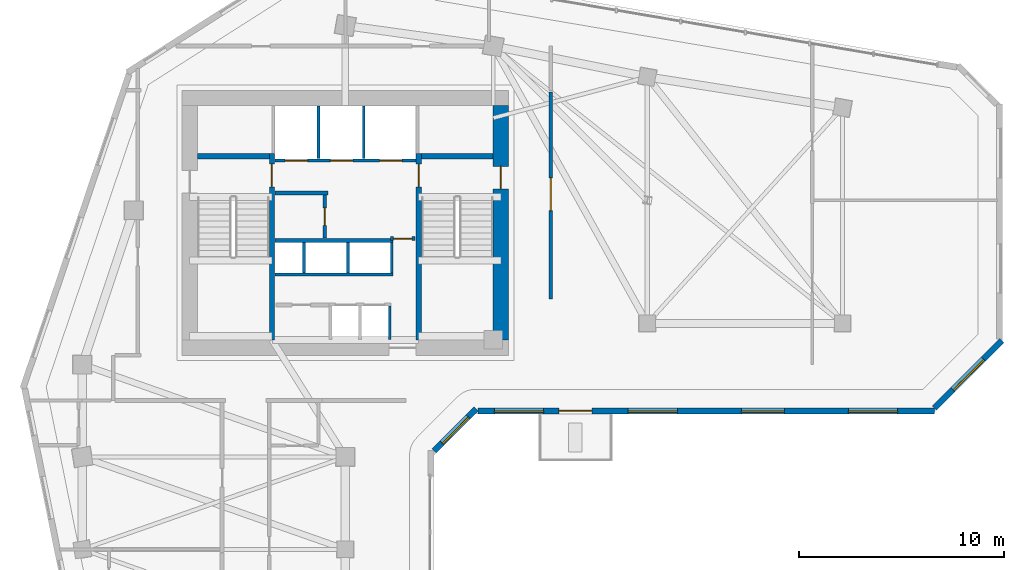
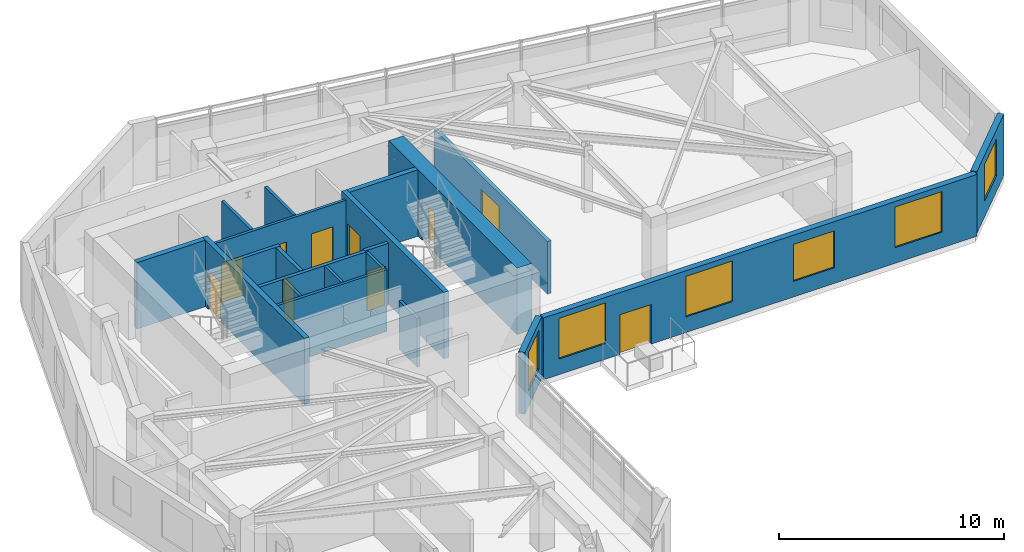
# One storey, part 6 of 10: 21 walls, 10 doors, 6 windows, 16 openings.
"""IFC4 building model written with IfcOpenShell, lengths in metres."""

from ifc_helpers import new_model, si_unit, direction, frame, frame_2d, origin, place, context, subcontext, project, spatial, rectangle, extrude, source, transform, mapped, material, layer, layer_set, type_object, element, fill, save


model = new_model("IFC4")

# Units and contexts
model_context = context("Model", 3, precision=1e-05, world=origin(), true_north=direction((0.0, 1.0)))
body_context = subcontext(model_context, "Body", "Model", "MODEL_VIEW")
ifc_project = project(units=[si_unit("LENGTHUNIT", "METRE"), si_unit("AREAUNIT", "SQUARE_METRE"), si_unit("VOLUMEUNIT", "CUBIC_METRE"), si_unit("PLANEANGLEUNIT", "RADIAN"), si_unit("MASSUNIT", "GRAM", prefix="KILO")], contexts=[model_context])

# Site, building, storey
site_placement = place(None, origin())
site = spatial("IfcSite", under=ifc_project, at=site_placement, CompositionType="ELEMENT")
building_placement = place(site_placement, origin())
building = spatial("IfcBuilding", under=site, at=building_placement, Name="Calvemar Wedge Station Tower", CompositionType="ELEMENT")
storey_placement = place(building_placement, frame((0.0, 0.0, 139.39990234375)))
storey = spatial("IfcBuildingStorey", under=building, at=storey_placement, Name="L34", CompositionType="ELEMENT", Elevation=139.39990234375)

# Wall, opening, door
ifc_material_1 = material(Name="Concrete C50", Category="concrete")
ifc_layer_1 = layer(ifc_material_1, 0.260009765625)
ifc_layer_set_1 = layer_set([ifc_layer_1], Name="Concrete C50")
wall_type_1 = type_object("IfcWallType", Name="SW-CORE-260", PredefinedType="SHEAR", material=ifc_layer_set_1)
wall_1_placement = place(storey_placement, frame((20.22998046875, 34.199951171875, 0.0), z_axis=(0.0, 0.0, 1.0), x_axis=(0.0, 1.0, 0.0)))
wall_1 = element("IfcWall", 1, at=wall_1_placement, inside=storey, type_object=wall_type_1, Name="Storey L34 Core Shear Wall SPINE-W", PredefinedType="SHEAR", context=body_context, shape_type="SweptSolid", body=[
    extrude(rectangle(XDim=9.06005859375, YDim=0.260009765625, at=frame_2d((4.530029296875, 0.0))), origin(), (0.0, 0.0, 1.0), 3.60009765625),
])
shared_shape_1 = source(origin(), body_context, "Body", "SweptSolid", [
    extrude(rectangle(XDim=1.10009765625, YDim=2.14990234375, at=frame_2d((0.550048828125, 1.074951171875))), frame((0.0, 0.14013671875, 0.0), z_axis=(0.0, -1.0, 0.0), x_axis=(1.0, 0.0, 0.0)), (0.0, 0.0, 1.0), 0.280029296875),
])
opening_1_placement = place(wall_1_placement, frame((7.449951171875, 0.0, 0.0)))
opening_1 = element("IfcOpeningElement", 2, at=opening_1_placement, cuts=wall_1, Name="Opening FD-90", PredefinedType="OPENING", context=body_context, shape_type="MappedRepresentation", body=[
    mapped(shared_shape_1, transform((0.0, 0.0, 0.0), scale=1.0)),
])
ifc_material_2 = material(Name="Galvanized fire-rated steel door leaf P-90", Category="steel")
door_type_1 = type_object("IfcDoorType", Name="DR-FD90-1100", OperationType="NOTDEFINED", PredefinedType="DOOR", material=ifc_material_2)
shared_shape_2 = source(origin(), body_context, "Body", "SweptSolid", [
    extrude(rectangle(XDim=1.10009765625, YDim=2.14990234375, at=frame_2d((0.550048828125, 1.074951171875))), frame((0.0, 0.02490234375, 0.0), z_axis=(0.0, -1.0, 0.0), x_axis=(1.0, 0.0, 0.0)), (0.0, 0.0, 1.0), 0.050048828125),
])
door_1_placement = place(opening_1_placement, origin())
door_1 = element("IfcDoor", 3, at=door_1_placement, inside=storey, type_object=door_type_1, Name="L34 FF Lobby to Stair ST-C1 Door", OperationType="SINGLE_SWING_RIGHT", OverallHeight=2.14990234375, OverallWidth=1.10009765625, PredefinedType="DOOR", context=body_context, shape_type="MappedRepresentation", body=[
    mapped(shared_shape_2, transform((0.0, 0.0, 0.0), scale=1.0)),
])
fill(opening_1, door_1)

wall_2_placement = place(storey_placement, frame((27.3701171875, 34.199951171875, 0.0), z_axis=(0.0, 0.0, 1.0), x_axis=(0.0, 1.0, 0.0)))
wall_2 = element("IfcWall", 4, at=wall_2_placement, inside=storey, type_object=wall_type_1, Name="Storey L34 Core Shear Wall SPINE-E", PredefinedType="SHEAR", context=body_context, shape_type="SweptSolid", body=[
    extrude(rectangle(XDim=9.06005859375, YDim=0.260009765625, at=frame_2d((4.530029296875, 0.0))), origin(), (0.0, 0.0, 1.0), 3.60009765625),
])
opening_2_placement = place(wall_2_placement, frame((7.449951171875, 0.0, 0.0)))
opening_2 = element("IfcOpeningElement", 5, at=opening_2_placement, cuts=wall_2, Name="Opening FD-90", PredefinedType="OPENING", context=body_context, shape_type="MappedRepresentation", body=[
    mapped(shared_shape_1, transform((0.0, 0.0, 0.0), scale=1.0)),
])
door_2_placement = place(opening_2_placement, origin())
door_2 = element("IfcDoor", 6, at=door_2_placement, inside=storey, type_object=door_type_1, Name="L34 FF Lobby to Stair ST-C2 Door", OperationType="SINGLE_SWING_LEFT", OverallHeight=2.14990234375, OverallWidth=1.10009765625, PredefinedType="DOOR", context=body_context, shape_type="MappedRepresentation", body=[
    mapped(shared_shape_2, transform((0.0, 0.0, 0.0), scale=1.0)),
])
fill(opening_2, door_2)

# Walls
for number, where, z_axis, x_axis, name in (
    (7, (16.60009765625, 43.1298828125, 0.0), (0.0, 0.0, 1.0), (1.0, 0.0, 0.0), "Storey L34 Core Shear Wall STC1-N"),
    (8, (27.5, 43.1298828125, 0.0), (0.0, 0.0, 1.0), (1.0, 0.0, 0.0), "Storey L34 Core Shear Wall STC2-N"),
):
    element("IfcWall", number, at=place(storey_placement, frame(where, z_axis=z_axis, x_axis=x_axis)), inside=storey, type_object=wall_type_1, Name=name, PredefinedType="SHEAR", context=body_context, shape_type="SweptSolid", body=[
        extrude(rectangle(XDim=3.5, YDim=0.260009765625, at=frame_2d((1.75, 0.0))), origin(), (0.0, 0.0, 1.0), 3.60009765625),
    ])

# Wall, opening, door
ifc_material_3 = material(Name="Concrete C70", Category="concrete")
ifc_layer_2 = layer(ifc_material_3, 0.75)
ifc_layer_set_2 = layer_set([ifc_layer_2], Name="Concrete C70")
wall_type_2 = type_object("IfcWallType", Name="SW-CORE-750", PredefinedType="SHEAR", material=ifc_layer_set_2)
wall_3_placement = place(storey_placement, frame((31.375, 34.199951171875, 0.0), z_axis=(0.0, 0.0, 1.0), x_axis=(0.0, 1.0, 0.0)))
wall_3 = element("IfcWall", 9, at=wall_3_placement, inside=storey, type_object=wall_type_2, Name="Storey L34 Core Shear Wall E", PredefinedType="SHEAR", context=body_context, shape_type="SweptSolid", body=[
    extrude(rectangle(XDim=11.400146484375, YDim=0.75, at=frame_2d((5.7001953125, 0.0))), origin(), (0.0, 0.0, 1.0), 3.60009765625),
])
shared_shape_3 = source(origin(), body_context, "Body", "SweptSolid", [
    extrude(rectangle(XDim=1.10009765625, YDim=2.14990234375, at=frame_2d((0.550048828125, 1.074951171875))), frame((0.0, 0.385009765625, 0.0), z_axis=(0.0, -1.0, 0.0), x_axis=(1.0, 0.0, 0.0)), (0.0, 0.0, 1.0), 0.77001953125),
])
opening_3_placement = place(wall_3_placement, frame((7.35009765625, 0.0, 0.0)))
opening_3 = element("IfcOpeningElement", 10, at=opening_3_placement, cuts=wall_3, Name="Opening FD-90", PredefinedType="OPENING", context=body_context, shape_type="MappedRepresentation", body=[
    mapped(shared_shape_3, transform((0.0, 0.0, 0.0), scale=1.0)),
])
door_3_placement = place(opening_3_placement, origin())
door_3 = element("IfcDoor", 11, at=door_3_placement, inside=storey, type_object=door_type_1, Name="L34 East Corridor to Exit Stair ST-C2 Door", OperationType="SINGLE_SWING_LEFT", OverallHeight=2.14990234375, OverallWidth=1.10009765625, PredefinedType="DOOR", context=body_context, shape_type="MappedRepresentation", body=[
    mapped(shared_shape_2, transform((0.0, 0.0, 0.0), scale=1.0)),
])
fill(opening_3, door_3)

# Wall
ifc_material_4 = material(Name="Double-stud fire-rated corridor partition")
ifc_layer_3 = layer(ifc_material_4, 0.179931640625)
ifc_layer_set_3 = layer_set([ifc_layer_3], Name="Double-stud fire-rated corridor partition")
wall_type_3 = type_object("IfcWallType", Name="W-CORR-180", PredefinedType="PARTITIONING", material=ifc_layer_set_3)
wall_4_placement = place(storey_placement, frame((22.9599609375, 41.35009765625, 0.0), z_axis=(0.0, 0.0, 1.0), x_axis=(-1.0, 0.0, 0.0)))
element("IfcWall", 12, at=wall_4_placement, inside=storey, type_object=wall_type_3, Name="Storey L34 Interior Partition WL-L34-001", PredefinedType="PARTITIONING", context=body_context, shape_type="SweptSolid", body=[
    extrude(rectangle(XDim=2.580078125, YDim=0.179931640625, at=frame_2d((1.2900390625, 0.0))), origin(), (0.0, 0.0, 1.0), 3.35009765625),
])

# Wall, opening, door
wall_5_placement = place(storey_placement, frame((22.800048828125, 41.256103515625, 0.0), z_axis=(0.0, 0.0, 1.0), x_axis=(0.0, -1.0, 0.0)))
wall_5 = element("IfcWall", 13, at=wall_5_placement, inside=storey, type_object=wall_type_3, Name="Storey L34 Interior Partition WL-L34-002", PredefinedType="PARTITIONING", context=body_context, shape_type="SweptSolid", body=[
    extrude(rectangle(XDim=2.106201171875, YDim=0.179931640625, at=frame_2d((1.05322265625, 0.0))), origin(), (0.0, 0.0, 1.0), 3.35009765625),
])
shared_shape_4 = source(origin(), body_context, "Body", "SweptSolid", [
    extrude(rectangle(XDim=0.85009765625, YDim=2.14990234375, at=frame_2d((0.425048828125, 1.074951171875))), frame((0.0, 0.10009765625, 0.0), z_axis=(0.0, -1.0, 0.0), x_axis=(1.0, 0.0, 0.0)), (0.0, 0.0, 1.0), 0.199951171875),
])
opening_4_placement = place(wall_5_placement, frame((0.6279296875, 0.0, 0.0)))
opening_4 = element("IfcOpeningElement", 14, at=opening_4_placement, cuts=wall_5, Name="Opening FD-60S", PredefinedType="OPENING", context=body_context, shape_type="MappedRepresentation", body=[
    mapped(shared_shape_4, transform((0.0, 0.0, 0.0), scale=1.0)),
])
ifc_material_5 = material(Name="Fire-rated steel and hardwood service door EI 60", Category="steel")
door_type_2 = type_object("IfcDoorType", Name="DR-CORE-FD60-850", OperationType="NOTDEFINED", PredefinedType="DOOR", material=ifc_material_5)
shared_shape_5 = source(origin(), body_context, "Body", "SweptSolid", [
    extrude(rectangle(XDim=0.85009765625, YDim=2.14990234375, at=frame_2d((0.425048828125, 1.074951171875))), frame((0.0, 0.02490234375, 0.0), z_axis=(0.0, -1.0, 0.0), x_axis=(1.0, 0.0, 0.0)), (0.0, 0.0, 1.0), 0.050048828125),
])
door_4_placement = place(opening_4_placement, origin())
door_4 = element("IfcDoor", 15, at=door_4_placement, inside=storey, type_object=door_type_2, Name="L34 Core Electrical Switch Room Door", OperationType="SINGLE_SWING_RIGHT", OverallHeight=2.14990234375, OverallWidth=0.85009765625, PredefinedType="DOOR", context=body_context, shape_type="MappedRepresentation", body=[
    mapped(shared_shape_5, transform((0.0, 0.0, 0.0), scale=1.0)),
])
fill(opening_4, door_4)

wall_6_placement = place(storey_placement, frame((27.199951171875, 39.1298828125, 0.0), z_axis=(0.0, 0.0, 1.0), x_axis=(-1.0, 0.0, 0.0)))
wall_6 = element("IfcWall", 16, at=wall_6_placement, inside=storey, type_object=wall_type_3, Name="Storey L34 Interior Partition WL-L34-003", PredefinedType="PARTITIONING", context=body_context, shape_type="SweptSolid", body=[
    extrude(rectangle(XDim=1.2099609375, YDim=0.179931640625, at=frame_2d((0.60498046875, 0.0))), origin(), (0.0, 0.0, 1.0), 3.35009765625),
])
shared_shape_6 = source(origin(), body_context, "Body", "SweptSolid", [
    extrude(rectangle(XDim=0.89990234375, YDim=2.14990234375, at=frame_2d((0.449951171875, 1.074951171875))), frame((0.0, 0.10009765625, 0.0), z_axis=(0.0, -1.0, 0.0), x_axis=(1.0, 0.0, 0.0)), (0.0, 0.0, 1.0), 0.199951171875),
])
opening_5_placement = place(wall_6_placement, frame((0.155029296875, 0.0, 0.0)))
opening_5 = element("IfcOpeningElement", 17, at=opening_5_placement, cuts=wall_6, Name="Opening FD-60", PredefinedType="OPENING", context=body_context, shape_type="MappedRepresentation", body=[
    mapped(shared_shape_6, transform((0.0, 0.0, 0.0), scale=1.0)),
])
ifc_material_6 = material(Name="Fire-rated acoustic timber-core entrance door EI 60", Category="wood")
door_type_3 = type_object("IfcDoorType", Name="DR-FD60-900", OperationType="NOTDEFINED", PredefinedType="DOOR", material=ifc_material_6)
shared_shape_7 = source(origin(), body_context, "Body", "SweptSolid", [
    extrude(rectangle(XDim=0.89990234375, YDim=2.14990234375, at=frame_2d((0.449951171875, 1.074951171875))), frame((0.0, 0.02490234375, 0.0), z_axis=(0.0, -1.0, 0.0), x_axis=(1.0, 0.0, 0.0)), (0.0, 0.0, 1.0), 0.050048828125),
])
door_5_placement = place(opening_5_placement, origin())
door_5 = element("IfcDoor", 18, at=door_5_placement, inside=storey, type_object=door_type_3, Name="L34 Core Service Lobby Door", OperationType="SINGLE_SWING_LEFT", OverallHeight=2.14990234375, OverallWidth=0.89990234375, PredefinedType="DOOR", context=body_context, shape_type="MappedRepresentation", body=[
    mapped(shared_shape_7, transform((0.0, 0.0, 0.0), scale=1.0)),
])
fill(opening_5, door_5)

wall_7_placement = place(storey_placement, frame((33.800048828125, 46.256103515625, 0.0), z_axis=(0.0, 0.0, 1.0), x_axis=(0.0, -1.0, 0.0)))
wall_7 = element("IfcWall", 19, at=wall_7_placement, inside=storey, type_object=wall_type_3, Name="Storey L34 Interior Partition WL-L34-015", PredefinedType="PARTITIONING", context=body_context, shape_type="SweptSolid", body=[
    extrude(rectangle(XDim=10.05615234375, YDim=0.179931640625, at=frame_2d((5.028076171875, 0.0))), origin(), (0.0, 0.0, 1.0), 2.879150390625),
])
shared_shape_8 = source(origin(), body_context, "Body", "SweptSolid", [
    extrude(rectangle(XDim=1.60009765625, YDim=2.14990234375, at=frame_2d((0.800048828125, 1.074951171875))), frame((0.0, 0.10009765625, 0.0), z_axis=(0.0, -1.0, 0.0), x_axis=(1.0, 0.0, 0.0)), (0.0, 0.0, 1.0), 0.199951171875),
])
opening_6_placement = place(wall_7_placement, frame((4.167236328125, 0.0, 0.0)))
opening_6 = element("IfcOpeningElement", 20, at=opening_6_placement, cuts=wall_7, Name="Opening DD-160", PredefinedType="OPENING", context=body_context, shape_type="MappedRepresentation", body=[
    mapped(shared_shape_8, transform((0.0, 0.0, 0.0), scale=1.0)),
])
ifc_material_7 = material(Name="Double-leaf fire-rated lobby door EI 60")
door_type_4 = type_object("IfcDoorType", Name="DR-DBL-1600", OperationType="DOUBLE_DOOR_SINGLE_SWING", PredefinedType="DOOR", material=ifc_material_7)
shared_shape_9 = source(origin(), body_context, "Body", "SweptSolid", [
    extrude(rectangle(XDim=1.60009765625, YDim=2.14990234375, at=frame_2d((0.800048828125, 1.074951171875))), frame((0.0, 0.02490234375, 0.0), z_axis=(0.0, -1.0, 0.0), x_axis=(1.0, 0.0, 0.0)), (0.0, 0.0, 1.0), 0.050048828125),
])
door_6_placement = place(opening_6_placement, origin())
door_6 = element("IfcDoor", 21, at=door_6_placement, inside=storey, type_object=door_type_4, Name="L34 Hotel Conference Banquet Hall Door", OperationType="SINGLE_SWING_RIGHT", OverallHeight=2.14990234375, OverallWidth=1.60009765625, PredefinedType="DOOR", context=body_context, shape_type="MappedRepresentation", body=[
    mapped(shared_shape_9, transform((0.0, 0.0, 0.0), scale=1.0)),
])
fill(opening_6, door_6)

# Wall, opening, window
ifc_material_8 = material(Name="Precast concrete C45", Category="concrete")
ifc_layer_4 = layer(ifc_material_8, 0.300048828125)
ifc_layer_set_4 = layer_set([ifc_layer_4], Name="Precast concrete C45")
wall_type_4 = type_object("IfcWallType", Name="W-EXT-GFRC-300", PredefinedType="SOLIDWALL", material=ifc_layer_set_4)
wall_8_placement = place(storey_placement, frame((28.115966796875, 28.7919921875, 0.0), z_axis=(0.0, 0.0, 1.0), x_axis=(0.707064797706, 0.707148762175, 0.0)))
wall_8 = element("IfcWall", 22, at=wall_8_placement, inside=storey, type_object=wall_type_4, Name="Storey L34 Bronze GFRC Exterior Wall 5", PredefinedType="SOLIDWALL", context=body_context, shape_type="SweptSolid", body=[
    extrude(rectangle(XDim=2.90771484375, YDim=0.300048828125, at=frame_2d((1.453857421875, 0.0))), origin(), (0.0, 0.0, 1.0), 3.35009765625),
])
shared_shape_10 = source(origin(), body_context, "Body", "SweptSolid", [
    extrude(rectangle(XDim=1.800048828125, YDim=2.10009765625, at=frame_2d((0.89990234375, 1.050048828125))), frame((0.0, 0.16015625, 0.0), z_axis=(0.0, -1.0, 0.0), x_axis=(1.0, 0.0, 0.0)), (0.0, 0.0, 1.0), 0.320068359375),
])
opening_7_placement = place(wall_8_placement, frame((0.553955078125, 0.0, 0.85009765625)))
opening_7 = element("IfcOpeningElement", 23, at=opening_7_placement, cuts=wall_8, Name="Opening W2", PredefinedType="OPENING", context=body_context, shape_type="MappedRepresentation", body=[
    mapped(shared_shape_10, transform((0.0, 0.0, 0.0), scale=1.0)),
])
ifc_material_9 = material(Name="Low-E laminated insulated glass", Category="glass")
window_type_1 = type_object("IfcWindowType", Name="WIN-EXT-2", PartitioningType="SINGLE_PANEL", PredefinedType="WINDOW", material=ifc_material_9)
shared_shape_11 = source(origin(), body_context, "Body", "SweptSolid", [
    extrude(rectangle(XDim=1.800048828125, YDim=2.10009765625, at=frame_2d((0.89990234375, 1.050048828125))), frame((0.0, -0.014892578125, 0.0), z_axis=(0.0, -1.0, 0.0), x_axis=(1.0, 0.0, 0.0)), (0.0, 0.0, 1.0), 0.06005859375),
])
window_1_placement = place(opening_7_placement, origin())
window_1 = element("IfcWindow", 24, at=window_1_placement, inside=storey, type_object=window_type_1, Name="Storey L34 Recessed Window 5.1", OverallHeight=2.10009765625, OverallWidth=1.800048828125, PartitioningType="SINGLE_PANEL", PredefinedType="WINDOW", context=body_context, shape_type="MappedRepresentation", body=[
    mapped(shared_shape_11, transform((0.0, 0.0, 0.0), scale=1.0)),
])
fill(opening_7, window_1)

# Wall, openings, windows, door
wall_9_placement = place(storey_placement, frame((30.260986328125, 30.741943359375, 0.0), z_axis=(0.0, 0.0, 1.0), x_axis=(1.0, 0.0, 0.0)))
wall_9 = element("IfcWall", 25, at=wall_9_placement, inside=storey, type_object=wall_type_4, Name="Storey L34 Bronze GFRC Exterior Wall 6", PredefinedType="SOLIDWALL", context=body_context, shape_type="SweptSolid", body=[
    extrude(rectangle(XDim=22.226806640625, YDim=0.300048828125, at=frame_2d((11.11328125, 0.0))), origin(), (0.0, 0.0, 1.0), 3.35009765625),
])
shared_shape_12 = source(origin(), body_context, "Body", "SweptSolid", [
    extrude(rectangle(XDim=1.60009765625, YDim=2.14990234375, at=frame_2d((0.800048828125, 1.074951171875))), frame((0.0, 0.16015625, 0.0), z_axis=(0.0, -1.0, 0.0), x_axis=(1.0, 0.0, 0.0)), (0.0, 0.0, 1.0), 0.320068359375),
])
opening_8_placement = place(wall_9_placement, frame((3.93896484375, 0.0, 0.0)))
opening_8 = element("IfcOpeningElement", 26, at=opening_8_placement, cuts=wall_9, Name="Opening DT1", PredefinedType="OPENING", context=body_context, shape_type="MappedRepresentation", body=[
    mapped(shared_shape_12, transform((0.0, 0.0, 0.0), scale=1.0)),
])
shared_shape_13 = source(origin(), body_context, "Body", "SweptSolid", [
    extrude(rectangle(XDim=2.39990234375, YDim=2.199951171875, at=frame_2d((1.199951171875, 1.10009765625))), frame((0.0, 0.16015625, 0.0), z_axis=(0.0, -1.0, 0.0), x_axis=(1.0, 0.0, 0.0)), (0.0, 0.0, 1.0), 0.320068359375),
])
opening_9_placement = place(wall_9_placement, frame((0.7890625, 0.0, 0.85009765625)))
opening_9 = element("IfcOpeningElement", 27, at=opening_9_placement, cuts=wall_9, Name="Opening W1", PredefinedType="OPENING", context=body_context, shape_type="MappedRepresentation", body=[
    mapped(shared_shape_13, transform((0.0, 0.0, 0.0), scale=1.0)),
])
opening_10_placement = place(wall_9_placement, frame((7.300048828125, 0.0, 0.85009765625)))
opening_10 = element("IfcOpeningElement", 28, at=opening_10_placement, cuts=wall_9, Name="Opening W1", PredefinedType="OPENING", context=body_context, shape_type="MappedRepresentation", body=[
    mapped(shared_shape_13, transform((0.0, 0.0, 0.0), scale=1.0)),
])
shared_shape_14 = source(origin(), body_context, "Body", "SweptSolid", [
    extrude(rectangle(XDim=2.10009765625, YDim=2.0, at=frame_2d((1.050048828125, 1.0))), frame((0.0, 0.16015625, 0.0), z_axis=(0.0, -1.0, 0.0), x_axis=(1.0, 0.0, 0.0)), (0.0, 0.0, 1.0), 0.320068359375),
])
opening_11_placement = place(wall_9_placement, frame((12.81298828125, 0.0, 0.85009765625)))
opening_11 = element("IfcOpeningElement", 29, at=opening_11_placement, cuts=wall_9, Name="Opening W4", PredefinedType="OPENING", context=body_context, shape_type="MappedRepresentation", body=[
    mapped(shared_shape_14, transform((0.0, 0.0, 0.0), scale=1.0)),
])
opening_12_placement = place(wall_9_placement, frame((18.02587890625, 0.0, 0.85009765625)))
opening_12 = element("IfcOpeningElement", 30, at=opening_12_placement, cuts=wall_9, Name="Opening W1", PredefinedType="OPENING", context=body_context, shape_type="MappedRepresentation", body=[
    mapped(shared_shape_13, transform((0.0, 0.0, 0.0), scale=1.0)),
])
window_type_2 = type_object("IfcWindowType", Name="WIN-EXT-4", PartitioningType="SINGLE_PANEL", PredefinedType="WINDOW", material=ifc_material_9)
shared_shape_15 = source(origin(), body_context, "Body", "SweptSolid", [
    extrude(rectangle(XDim=2.10009765625, YDim=2.0, at=frame_2d((1.050048828125, 1.0))), frame((0.0, -0.014892578125, 0.0), z_axis=(0.0, -1.0, 0.0), x_axis=(1.0, 0.0, 0.0)), (0.0, 0.0, 1.0), 0.06005859375),
])
window_2_placement = place(opening_11_placement, origin())
window_2 = element("IfcWindow", 31, at=window_2_placement, inside=storey, type_object=window_type_2, Name="Storey L34 Recessed Window 6.3", OverallHeight=2.0, OverallWidth=2.10009765625, PartitioningType="SINGLE_PANEL", PredefinedType="WINDOW", context=body_context, shape_type="MappedRepresentation", body=[
    mapped(shared_shape_15, transform((0.0, 0.0, 0.0), scale=1.0)),
])
fill(opening_11, window_2)
window_type_3 = type_object("IfcWindowType", Name="WIN-EXT-1", PartitioningType="SINGLE_PANEL", PredefinedType="WINDOW", material=ifc_material_9)
shared_shape_16 = source(origin(), body_context, "Body", "SweptSolid", [
    extrude(rectangle(XDim=2.39990234375, YDim=2.199951171875, at=frame_2d((1.199951171875, 1.10009765625))), frame((0.0, -0.014892578125, 0.0), z_axis=(0.0, -1.0, 0.0), x_axis=(1.0, 0.0, 0.0)), (0.0, 0.0, 1.0), 0.06005859375),
])
window_3_placement = place(opening_9_placement, origin())
window_3 = element("IfcWindow", 32, at=window_3_placement, inside=storey, type_object=window_type_3, Name="Storey L34 Recessed Window 6.1", OverallHeight=2.199951171875, OverallWidth=2.39990234375, PartitioningType="SINGLE_PANEL", PredefinedType="WINDOW", context=body_context, shape_type="MappedRepresentation", body=[
    mapped(shared_shape_16, transform((0.0, 0.0, 0.0), scale=1.0)),
])
fill(opening_9, window_3)
window_4_placement = place(opening_10_placement, origin())
window_4 = element("IfcWindow", 33, at=window_4_placement, inside=storey, type_object=window_type_3, Name="Storey L34 Recessed Window 6.2", OverallHeight=2.199951171875, OverallWidth=2.39990234375, PartitioningType="SINGLE_PANEL", PredefinedType="WINDOW", context=body_context, shape_type="MappedRepresentation", body=[
    mapped(shared_shape_16, transform((0.0, 0.0, 0.0), scale=1.0)),
])
fill(opening_10, window_4)
window_5_placement = place(opening_12_placement, origin())
window_5 = element("IfcWindow", 34, at=window_5_placement, inside=storey, type_object=window_type_3, Name="Storey L34 Recessed Window 6.4", OverallHeight=2.199951171875, OverallWidth=2.39990234375, PartitioningType="SINGLE_PANEL", PredefinedType="WINDOW", context=body_context, shape_type="MappedRepresentation", body=[
    mapped(shared_shape_16, transform((0.0, 0.0, 0.0), scale=1.0)),
])
fill(opening_12, window_5)
ifc_material_10 = material(Name="Anodised aluminium 6063-T6", Category="aluminium")
door_type_5 = type_object("IfcDoorType", Name="DR-TERR-1600", OperationType="DOUBLE_DOOR_SLIDING", PredefinedType="DOOR", material=ifc_material_10)
shared_shape_17 = source(origin(), body_context, "Body", "SweptSolid", [
    extrude(rectangle(XDim=1.60009765625, YDim=2.14990234375, at=frame_2d((0.800048828125, 1.074951171875))), frame((0.0, 0.02490234375, 0.0), z_axis=(0.0, -1.0, 0.0), x_axis=(1.0, 0.0, 0.0)), (0.0, 0.0, 1.0), 0.050048828125),
])
door_7_placement = place(opening_8_placement, origin())
door_7 = element("IfcDoor", 35, at=door_7_placement, inside=storey, type_object=door_type_5, Name="Storey L34 Spiral Terrace Door", OperationType="DOUBLE_DOOR_SLIDING", OverallHeight=2.14990234375, OverallWidth=1.60009765625, PredefinedType="DOOR", context=body_context, shape_type="MappedRepresentation", body=[
    mapped(shared_shape_17, transform((0.0, 0.0, 0.0), scale=1.0)),
])
fill(opening_8, door_7)

# Wall, opening, window
wall_10_placement = place(storey_placement, frame((52.475830078125, 30.8798828125, 0.0), z_axis=(0.0, 0.0, 1.0), x_axis=(0.707106781187, 0.707106781187, 0.0)))
wall_10 = element("IfcWall", 36, at=wall_10_placement, inside=storey, type_object=wall_type_4, Name="Storey L34 Bronze GFRC Exterior Wall 7", PredefinedType="SOLIDWALL", context=body_context, shape_type="SweptSolid", body=[
    extrude(rectangle(XDim=4.638916015625, YDim=0.300048828125, at=frame_2d((2.3193359375, 0.0))), origin(), (0.0, 0.0, 1.0), 3.35009765625),
])
opening_13_placement = place(wall_10_placement, frame((1.26904296875, 0.0, 0.85009765625)))
opening_13 = element("IfcOpeningElement", 37, at=opening_13_placement, cuts=wall_10, Name="Opening W4", PredefinedType="OPENING", context=body_context, shape_type="MappedRepresentation", body=[
    mapped(shared_shape_14, transform((0.0, 0.0, 0.0), scale=1.0)),
])
window_6_placement = place(opening_13_placement, origin())
window_6 = element("IfcWindow", 38, at=window_6_placement, inside=storey, type_object=window_type_2, Name="Storey L34 Recessed Window 7.1", OverallHeight=2.0, OverallWidth=2.10009765625, PartitioningType="SINGLE_PANEL", PredefinedType="WINDOW", context=body_context, shape_type="MappedRepresentation", body=[
    mapped(shared_shape_15, transform((0.0, 0.0, 0.0), scale=1.0)),
])
fill(opening_13, window_6)

# Wall, openings, doors
ifc_material_11 = material(Name="Reinforced concrete blockwork lift shaft wall", Category="masonry")
ifc_layer_5 = layer(ifc_material_11, 0.139892578125)
ifc_layer_set_5 = layer_set([ifc_layer_5], Name="Reinforced concrete blockwork lift shaft wall")
wall_type_5 = type_object("IfcWallType", Name="W-LIFT-160", PredefinedType="SOLIDWALL", material=ifc_layer_set_5)
wall_11_placement = place(storey_placement, frame((20.3701171875, 42.929931640625, 0.0), z_axis=(0.0, 0.0, 1.0), x_axis=(1.0, 0.0, 0.0)))
wall_11 = element("IfcWall", 39, at=wall_11_placement, inside=storey, type_object=wall_type_5, Name="Storey L34 Firefighting and Service Lift Shaft Front Wall", PredefinedType="SOLIDWALL", context=body_context, shape_type="SweptSolid", body=[
    extrude(rectangle(XDim=6.85986328125, YDim=0.139892578125, at=frame_2d((3.429931640625, 0.0))), origin(), (0.0, 0.0, 1.0), 3.35009765625),
])
shared_shape_18 = source(origin(), body_context, "Body", "SweptSolid", [
    extrude(rectangle(XDim=1.10009765625, YDim=2.14990234375, at=frame_2d((0.550048828125, 1.074951171875))), frame((0.0, 0.080078125, 0.0), z_axis=(0.0, -1.0, 0.0), x_axis=(1.0, 0.0, 0.0)), (0.0, 0.0, 1.0), 0.159912109375),
])
opening_14_placement = place(wall_11_placement, frame((0.5, 0.0, 0.0)))
opening_14 = element("IfcOpeningElement", 40, at=opening_14_placement, cuts=wall_11, Name="Opening LD-FF", PredefinedType="OPENING", context=body_context, shape_type="MappedRepresentation", body=[
    mapped(shared_shape_18, transform((0.0, 0.0, 0.0), scale=1.0)),
])
opening_15_placement = place(wall_11_placement, frame((2.699951171875, 0.0, 0.0)))
opening_15 = element("IfcOpeningElement", 41, at=opening_15_placement, cuts=wall_11, Name="Opening LD-FF", PredefinedType="OPENING", context=body_context, shape_type="MappedRepresentation", body=[
    mapped(shared_shape_18, transform((0.0, 0.0, 0.0), scale=1.0)),
])
opening_16_placement = place(wall_11_placement, frame((5.10009765625, 0.0, 0.0)))
opening_16 = element("IfcOpeningElement", 42, at=opening_16_placement, cuts=wall_11, Name="Opening LD-STN", PredefinedType="OPENING", context=body_context, shape_type="MappedRepresentation", body=[
    mapped(shared_shape_18, transform((0.0, 0.0, 0.0), scale=1.0)),
])
ifc_material_12 = material(Name="Stainless steel firefighting lift sliding landing door", Category="steel")
door_type_6 = type_object("IfcDoorType", Name="DR-LD-FF-1100", OperationType="SLIDING_TO_LEFT", PredefinedType="DOOR", material=ifc_material_12)
shared_shape_19 = source(origin(), body_context, "Body", "SweptSolid", [
    extrude(rectangle(XDim=1.10009765625, YDim=2.14990234375, at=frame_2d((0.550048828125, 1.074951171875))), frame((0.0, 0.02490234375, 0.0), z_axis=(0.0, -1.0, 0.0), x_axis=(1.0, 0.0, 0.0)), (0.0, 0.0, 1.0), 0.050048828125),
])
door_8_placement = place(opening_14_placement, origin())
door_8 = element("IfcDoor", 43, at=door_8_placement, inside=storey, type_object=door_type_6, Name="L34 Lift FF-01 Sliding Landing Door", OperationType="SLIDING_TO_LEFT", OverallHeight=2.14990234375, OverallWidth=1.10009765625, PredefinedType="DOOR", context=body_context, shape_type="MappedRepresentation", body=[
    mapped(shared_shape_19, transform((0.0, 0.0, 0.0), scale=1.0)),
])
fill(opening_14, door_8)
door_9_placement = place(opening_15_placement, origin())
door_9 = element("IfcDoor", 44, at=door_9_placement, inside=storey, type_object=door_type_6, Name="L34 Lift FF-02 Sliding Landing Door", OperationType="SLIDING_TO_RIGHT", OverallHeight=2.14990234375, OverallWidth=1.10009765625, PredefinedType="DOOR", context=body_context, shape_type="MappedRepresentation", body=[
    mapped(shared_shape_19, transform((0.0, 0.0, 0.0), scale=1.0)),
])
fill(opening_15, door_9)
ifc_material_13 = material(Name="Stainless steel transit lift sliding landing door", Category="steel")
door_type_7 = type_object("IfcDoorType", Name="DR-LD-PAX-1100", OperationType="SLIDING_TO_LEFT", PredefinedType="DOOR", material=ifc_material_13)
shared_shape_20 = source(origin(), body_context, "Body", "SweptSolid", [
    extrude(rectangle(XDim=1.10009765625, YDim=2.14990234375, at=frame_2d((0.550048828125, 1.074951171875))), frame((0.0, 0.02490234375, 0.0), z_axis=(0.0, -1.0, 0.0), x_axis=(1.0, 0.0, 0.0)), (0.0, 0.0, 1.0), 0.050048828125),
])
door_10_placement = place(opening_16_placement, origin())
door_10 = element("IfcDoor", 45, at=door_10_placement, inside=storey, type_object=door_type_7, Name="L34 Lift SV-01 Sliding Landing Door", OperationType="SLIDING_TO_LEFT", OverallHeight=2.14990234375, OverallWidth=1.10009765625, PredefinedType="DOOR", context=body_context, shape_type="MappedRepresentation", body=[
    mapped(shared_shape_20, transform((0.0, 0.0, 0.0), scale=1.0)),
])
fill(opening_16, door_10)

# Walls
for number, where, z_axis, x_axis, name in (
    (46, (22.5, 43.02001953125, 0.0), (0.0, 0.0, 1.0), (0.0, 1.0, 0.0), "Storey L34 Firefighting Lift Shaft Enclosure Wall D1"),
    (47, (24.699951171875, 43.02001953125, 0.0), (0.0, 0.0, 1.0), (0.0, 1.0, 0.0), "Storey L34 Firefighting Lift Shaft Enclosure Wall D2"),
):
    element("IfcWall", number, at=place(storey_placement, frame(where, z_axis=z_axis, x_axis=x_axis)), inside=storey, type_object=wall_type_5, Name=name, PredefinedType="SOLIDWALL", context=body_context, shape_type="SweptSolid", body=[
        extrude(rectangle(XDim=2.56005859375, YDim=0.139892578125, at=frame_2d((1.280029296875, 0.0))), origin(), (0.0, 0.0, 1.0), 3.35009765625),
    ])
wall_12_placement = place(storey_placement, frame((25.9599609375, 34.219970703125, 0.0), z_axis=(0.0, 0.0, 1.0), x_axis=(0.0, 1.0, 0.0)))
element("IfcWall", 48, at=wall_12_placement, inside=storey, type_object=wall_type_5, Name="Storey L34 South Passenger Lift Shaft Wall E", PredefinedType="SOLIDWALL", context=body_context, shape_type="SweptSolid", body=[
    extrude(rectangle(XDim=1.6201171875, YDim=0.139892578125, at=frame_2d((0.81005859375, 0.0))), origin(), (0.0, 0.0, 1.0), 2.64208984375),
])
wall_13_placement = place(storey_placement, frame((20.3798828125, 37.3798828125, 0.0), z_axis=(0.0, 0.0, 1.0), x_axis=(1.0, 0.0, 0.0)))
element("IfcWall", 49, at=wall_13_placement, inside=storey, type_object=wall_type_5, Name="Storey L34 Upper Passenger Lift Bank Front Wall", PredefinedType="SOLIDWALL", context=body_context, shape_type="SweptSolid", body=[
    extrude(rectangle(XDim=5.75, YDim=0.139892578125, at=frame_2d((2.875, 0.0))), origin(), (0.0, 0.0, 1.0), 3.35009765625),
])
for number, where, z_axis, x_axis, name in (
    (50, (26.06005859375, 37.4599609375, 0.0), (0.0, 0.0, 1.0), (0.0, 1.0, 0.0), "Storey L34 Upper Passenger Lift Shaft Wall E"),
    (51, (21.794921875, 37.4599609375, 0.0), (0.0, 0.0, 1.0), (0.0, 1.0, 0.0), "Storey L34 Upper Passenger Lift Shaft Wall D1"),
    (52, (23.93505859375, 37.4599609375, 0.0), (0.0, 0.0, 1.0), (0.0, 1.0, 0.0), "Storey L34 Upper Passenger Lift Shaft Wall D2"),
):
    element("IfcWall", number, at=place(storey_placement, frame(where, z_axis=z_axis, x_axis=x_axis)), inside=storey, type_object=wall_type_5, Name=name, PredefinedType="SOLIDWALL", context=body_context, shape_type="SweptSolid", body=[
        extrude(rectangle(XDim=1.47998046875, YDim=0.139892578125, at=frame_2d((0.739990234375, 0.0))), origin(), (0.0, 0.0, 1.0), 3.35009765625),
    ])
ifc_material_14 = material(Name="Concrete blockwork and fireboard shaft wall", Category="masonry")
ifc_layer_6 = layer(ifc_material_14, 0.199951171875)
ifc_layer_set_6 = layer_set([ifc_layer_6], Name="Concrete blockwork and fireboard shaft wall")
wall_type_6 = type_object("IfcWallType", Name="W-SHAFT-200", PredefinedType="SOLIDWALL", material=ifc_layer_set_6)
wall_14_placement = place(storey_placement, frame((20.3798828125, 39.0400390625, 0.0), z_axis=(0.0, 0.0, 1.0), x_axis=(1.0, 0.0, 0.0)))
element("IfcWall", 53, at=wall_14_placement, inside=storey, type_object=wall_type_6, Name="Storey L34 Upper Passenger Lift Bank Rear Shaft Wall", PredefinedType="SOLIDWALL", context=body_context, shape_type="SweptSolid", body=[
    extrude(rectangle(XDim=5.75, YDim=0.179931640625, at=frame_2d((2.875, 0.0))), origin(), (0.0, 0.0, 1.0), 3.35009765625),
])

save(model, "model.ifc")
